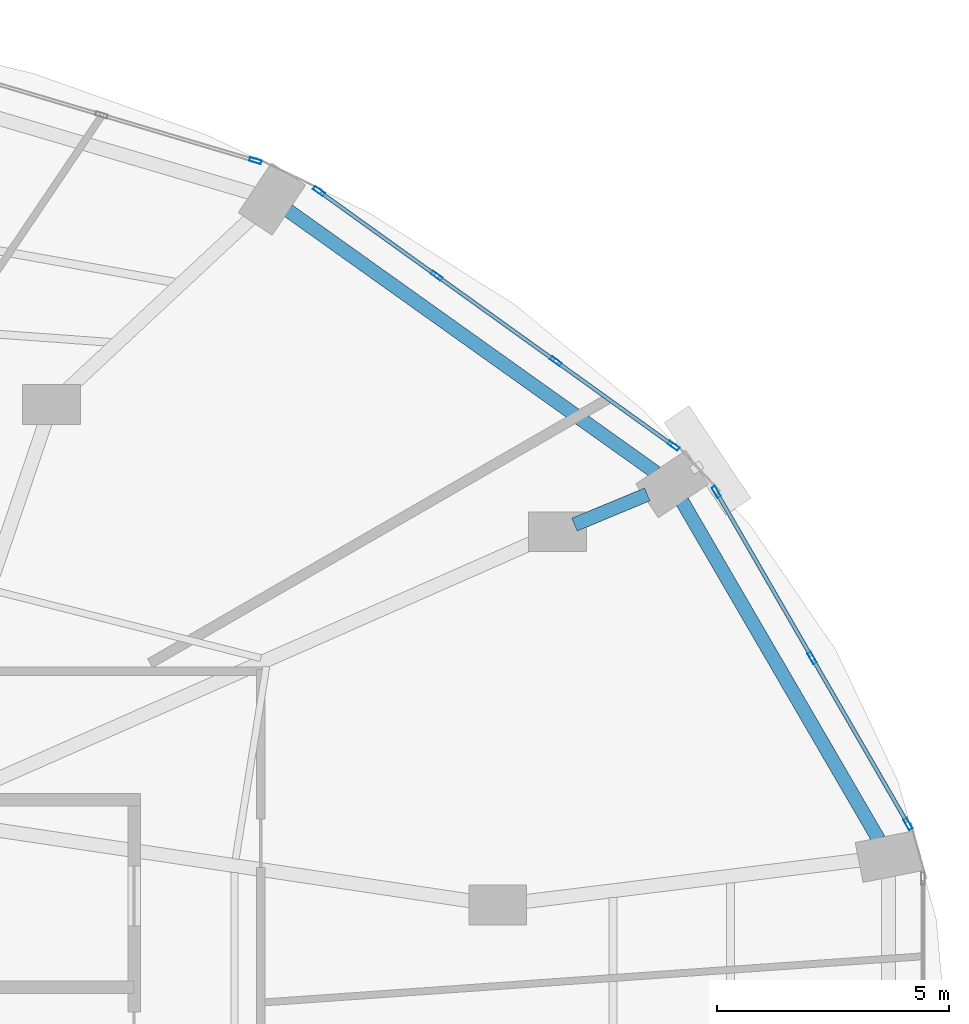
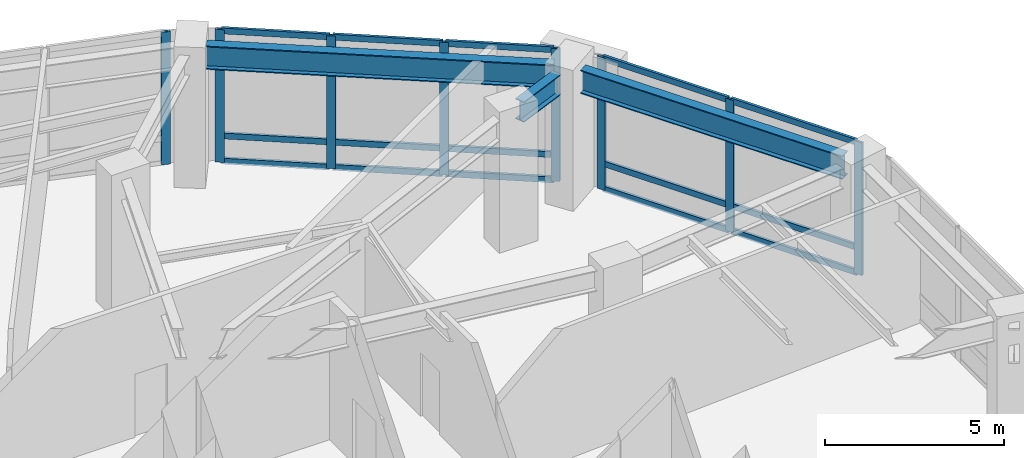
# One storey, part 17 of 24: 23 members, 3 beams, 3 elements without a shape of their own.
"""IFC4 building model written with IfcOpenShell, lengths in metres."""

from ifc_helpers import new_model, si_unit, direction, frame, origin, origin_2d, place, context, subcontext, project, spatial, hollow_rectangle, i_section, extrude, material, layer, layer_set, material_profile, profile_set, type_object, element, aggregate, save


model = new_model("IFC4")

# Units and contexts
model_context = context("Model", 3, precision=1e-05, world=origin(), true_north=direction((0.0, 1.0)))
body_context = subcontext(model_context, "Body", "Model", "MODEL_VIEW")
ifc_project = project(units=[si_unit("LENGTHUNIT", "METRE"), si_unit("AREAUNIT", "SQUARE_METRE"), si_unit("VOLUMEUNIT", "CUBIC_METRE"), si_unit("PLANEANGLEUNIT", "RADIAN"), si_unit("MASSUNIT", "GRAM", prefix="KILO")], contexts=[model_context])

# Site, building, storey
site_placement = place(None, origin())
site = spatial("IfcSite", under=ifc_project, at=site_placement, CompositionType="ELEMENT")
building_placement = place(site_placement, origin())
building = spatial("IfcBuilding", under=site, at=building_placement, Name="Lazwardi Medical Tower", CompositionType="ELEMENT")
storey_placement = place(building_placement, frame((0.0, 0.0, 15.60009765625)))
storey = spatial("IfcBuildingStorey", under=building, at=storey_placement, Name="L03", CompositionType="ELEMENT", Elevation=15.60009765625)

# Beams
ifc_material_1 = material(Name="Steel S355", Category="steel")
ifc_material_profile_1 = material_profile(ifc_material_1, i_section(OverallWidth=0.300048828125, OverallDepth=0.800048828125, WebThickness=0.017578125, FlangeThickness=0.032958984375, at=origin_2d()), Name="HEB 800")
ifc_profile_set_1 = profile_set([ifc_material_profile_1], Name="Steel S355")
beam_type_1 = type_object("IfcBeamType", Name="BM-RB-P1", PredefinedType="BEAM", material=ifc_profile_set_1)
beam_1_placement = place(storey_placement, frame((66.482421875, 35.122314453125, 4.119873046875), z_axis=(-0.502605874383, 0.864515665003, 0.0), x_axis=(-0.864515665003, -0.502605874383, 0.0)))
element("IfcBeam", 1, at=beam_1_placement, inside=storey, type_object=beam_type_1, Name="Ring beam RB-01 B05 L03", PredefinedType="BEAM", context=body_context, shape_type="SweptSolid", body=[
    extrude(i_section(OverallWidth=0.300048828125, OverallDepth=0.800048828125, WebThickness=0.017578125, FlangeThickness=0.032958984375, at=origin_2d()), origin(), (0.0, 0.0, 1.0), 8.4384765625),
])
beam_2_placement = place(storey_placement, frame((61.6748046875, 43.038818359375, 4.119873046875), z_axis=(-0.814437186887, 0.580251728663, 0.0), x_axis=(-0.580251728663, -0.814437186887, 0.0)))
element("IfcBeam", 2, at=beam_2_placement, inside=storey, type_object=beam_type_1, Name="Ring beam RB-01 B06 L03", PredefinedType="BEAM", context=body_context, shape_type="SweptSolid", body=[
    extrude(i_section(OverallWidth=0.300048828125, OverallDepth=0.800048828125, WebThickness=0.017578125, FlangeThickness=0.032958984375, at=origin_2d()), origin(), (0.0, 0.0, 1.0), 9.743408203125),
])
ifc_material_profile_2 = material_profile(ifc_material_1, i_section(OverallWidth=0.300048828125, OverallDepth=0.699951171875, WebThickness=0.01708984375, FlangeThickness=0.031982421875, at=origin_2d()), Name="HEB 700")
ifc_profile_set_2 = profile_set([ifc_material_profile_2], Name="Steel S355")
beam_type_2 = type_object("IfcBeamType", Name="BM-RG-P1", PredefinedType="BEAM", material=ifc_profile_set_2)
beam_3_placement = place(storey_placement, frame((61.489501953125, 42.56640625, 4.169921875), z_axis=(-0.923382441077, -0.383881319565, 0.0), x_axis=(0.383881319565, -0.923382441077, 0.0)))
element("IfcBeam", 3, at=beam_3_placement, inside=storey, type_object=beam_type_2, Name="Radial girder RG-01 R06A L03", PredefinedType="BEAM", context=body_context, shape_type="SweptSolid", body=[
    extrude(i_section(OverallWidth=0.300048828125, OverallDepth=0.699951171875, WebThickness=0.01708984375, FlangeThickness=0.031982421875, at=origin_2d()), origin(), (0.0, 0.0, 1.0), 1.70068359375),
])

# Curtain wall, members
ifc_material_2 = material(Name="Anodised bronze aluminium and solar control glazing", Category="aluminium")
ifc_layer = layer(ifc_material_2, 0.219970703125)
ifc_layer_set = layer_set([ifc_layer], Name="Anodised bronze aluminium and solar control glazing")
curtain_wall_type = type_object("IfcCurtainWallType", Name="CW-SYS-01", PredefinedType="NOTDEFINED", material=ifc_layer_set)
curtain_wall_1_placement = place(storey_placement, origin())
curtain_wall_1 = element("IfcCurtainWall", 4, at=curtain_wall_1_placement, inside=storey, type_object=curtain_wall_type, Name="L03 Unitised bronze curtain wall CW-01", PredefinedType="NOTDEFINED")
ifc_material_3 = material(Name="Anodised bronze aluminium", Category="aluminium")
ifc_material_profile_3 = material_profile(ifc_material_3, hollow_rectangle(XDim=0.0849609375, YDim=0.260009765625, WallThickness=0.0048828125, at=origin_2d()), Name="ALU-MULLION 260x85x5")
ifc_profile_set_3 = profile_set([ifc_material_profile_3], Name="Anodised bronze aluminium")
member_type_1 = type_object("IfcMemberType", Name="CW-MUL-02", PredefinedType="MULLION", material=ifc_profile_set_3)
member_1_placement = place(storey_placement, frame((67.1142578125, 35.4541015625, 0.0), z_axis=(0.0, 0.0, 1.0), x_axis=(-0.866180607783, -0.499731082384, 0.0)))
member_1 = element("IfcMember", 5, at=member_1_placement, type_object=member_type_1, Name="CW-01 mullion 1", PredefinedType="MULLION", context=body_context, shape_type="SweptSolid", body=[
    extrude(hollow_rectangle(XDim=0.0849609375, YDim=0.260009765625, WallThickness=0.0048828125, at=origin_2d()), origin(), (0.0, 0.0, 1.0), 4.52001953125),
])
member_2_placement = place(storey_placement, frame((65.04638671875, 39.0380859375, 0.0), z_axis=(0.0, 0.0, 1.0), x_axis=(-0.866180607783, -0.499731082384, 0.0)))
member_2 = element("IfcMember", 6, at=member_2_placement, type_object=member_type_1, Name="CW-01 mullion 2", PredefinedType="MULLION", context=body_context, shape_type="SweptSolid", body=[
    extrude(hollow_rectangle(XDim=0.0849609375, YDim=0.260009765625, WallThickness=0.0048828125, at=origin_2d()), origin(), (0.0, 0.0, 1.0), 4.52001953125),
])
member_3_placement = place(storey_placement, frame((62.978759765625, 42.6220703125, 0.0), z_axis=(0.0, 0.0, 1.0), x_axis=(-0.866180607783, -0.499731082384, 0.0)))
member_3 = element("IfcMember", 7, at=member_3_placement, type_object=member_type_1, Name="CW-01 mullion 3", PredefinedType="MULLION", context=body_context, shape_type="SweptSolid", body=[
    extrude(hollow_rectangle(XDim=0.0849609375, YDim=0.260009765625, WallThickness=0.0048828125, at=origin_2d()), origin(), (0.0, 0.0, 1.0), 4.52001953125),
])

curtain_wall_2_placement = place(storey_placement, origin())
curtain_wall_2 = element("IfcCurtainWall", 8, at=curtain_wall_2_placement, inside=storey, type_object=curtain_wall_type, Name="L03 Unitised bronze curtain wall CW-01", PredefinedType="NOTDEFINED")
member_4_placement = place(storey_placement, frame((62.056640625, 43.614501953125, 0.0), z_axis=(0.0, 0.0, 1.0), x_axis=(-0.583214260584, -0.812318365083, 0.0)))
member_4 = element("IfcMember", 9, at=member_4_placement, type_object=member_type_1, Name="CW-01 mullion 1", PredefinedType="MULLION", context=body_context, shape_type="SweptSolid", body=[
    extrude(hollow_rectangle(XDim=0.0849609375, YDim=0.260009765625, WallThickness=0.0048828125, at=origin_2d()), origin(), (0.0, 0.0, 1.0), 4.52001953125),
])
member_5_placement = place(storey_placement, frame((59.517822265625, 45.437255859375, 0.0), z_axis=(0.0, 0.0, 1.0), x_axis=(-0.583214260584, -0.812318365083, 0.0)))
member_5 = element("IfcMember", 10, at=member_5_placement, type_object=member_type_1, Name="CW-01 mullion 2", PredefinedType="MULLION", context=body_context, shape_type="SweptSolid", body=[
    extrude(hollow_rectangle(XDim=0.0849609375, YDim=0.260009765625, WallThickness=0.0048828125, at=origin_2d()), origin(), (0.0, 0.0, 1.0), 4.52001953125),
])
member_6_placement = place(storey_placement, frame((56.944580078125, 47.28466796875, 0.0), z_axis=(0.0, 0.0, 1.0), x_axis=(-0.583214260584, -0.812318365083, 0.0)))
member_6 = element("IfcMember", 11, at=member_6_placement, type_object=member_type_1, Name="CW-01 mullion 3", PredefinedType="MULLION", context=body_context, shape_type="SweptSolid", body=[
    extrude(hollow_rectangle(XDim=0.0849609375, YDim=0.260009765625, WallThickness=0.0048828125, at=origin_2d()), origin(), (0.0, 0.0, 1.0), 4.52001953125),
])
member_7_placement = place(storey_placement, frame((54.40576171875, 49.107421875, 0.0), z_axis=(0.0, 0.0, 1.0), x_axis=(-0.583214260584, -0.812318365083, 0.0)))
member_7 = element("IfcMember", 12, at=member_7_placement, type_object=member_type_1, Name="CW-01 mullion 4", PredefinedType="MULLION", context=body_context, shape_type="SweptSolid", body=[
    extrude(hollow_rectangle(XDim=0.0849609375, YDim=0.260009765625, WallThickness=0.0048828125, at=origin_2d()), origin(), (0.0, 0.0, 1.0), 4.52001953125),
])

# Curtain wall, member
curtain_wall_3_placement = place(storey_placement, origin())
curtain_wall_3 = element("IfcCurtainWall", 13, at=curtain_wall_3_placement, inside=storey, type_object=curtain_wall_type, Name="L03 Unitised bronze curtain wall CW-01", PredefinedType="NOTDEFINED")
member_8_placement = place(storey_placement, frame((53.033935546875, 49.766357421875, 0.0), z_axis=(0.0, 0.0, 1.0), x_axis=(-0.285047195531, -0.958513482597, 0.0)))
member_8 = element("IfcMember", 14, at=member_8_placement, type_object=member_type_1, Name="CW-01 mullion 1", PredefinedType="MULLION", context=body_context, shape_type="SweptSolid", body=[
    extrude(hollow_rectangle(XDim=0.0849609375, YDim=0.260009765625, WallThickness=0.0048828125, at=origin_2d()), origin(), (0.0, 0.0, 1.0), 4.52001953125),
])
aggregate(curtain_wall_3, [member_8])

# Member
ifc_material_profile_4 = material_profile(ifc_material_3, hollow_rectangle(XDim=0.0849609375, YDim=0.199951171875, WallThickness=0.00439453125, at=origin_2d()), Name="ALU-TRANSOM 200x85x4.5")
ifc_profile_set_4 = profile_set([ifc_material_profile_4], Name="Anodised bronze aluminium")
member_type_2 = type_object("IfcMemberType", Name="CW-TRN-02", PredefinedType="USERDEFINED", material=ifc_profile_set_4)
member_9_placement = place(storey_placement, frame((67.093017578125, 35.49072265625, 0.04248046875), z_axis=(-0.499741574693, 0.866174554304, 0.0), x_axis=(-0.866174554304, -0.499741574693, 0.0)))
member_9 = element("IfcMember", 15, at=member_9_placement, type_object=member_type_2, Name="CW-01 transom 1.1", ObjectType="TRANSOM", PredefinedType="USERDEFINED", context=body_context, shape_type="SweptSolid", body=[
    extrude(hollow_rectangle(XDim=0.0849609375, YDim=0.199951171875, WallThickness=0.00439453125, at=origin_2d()), origin(), (0.0, 0.0, 1.0), 4.052978515625),
])

member_10_placement = place(storey_placement, frame((67.093017578125, 35.49072265625, 0.89990234375), z_axis=(-0.499741574693, 0.866174554304, 0.0), x_axis=(-0.866174554304, -0.499741574693, 0.0)))
member_10 = element("IfcMember", 16, at=member_10_placement, type_object=member_type_2, Name="CW-01 transom 1.2", ObjectType="TRANSOM", PredefinedType="USERDEFINED", context=body_context, shape_type="SweptSolid", body=[
    extrude(hollow_rectangle(XDim=0.0849609375, YDim=0.199951171875, WallThickness=0.00439453125, at=origin_2d()), origin(), (0.0, 0.0, 1.0), 4.052978515625),
])

member_11_placement = place(storey_placement, frame((67.093017578125, 35.49072265625, 4.477294921875), z_axis=(-0.499741574693, 0.866174554304, 0.0), x_axis=(-0.866174554304, -0.499741574693, 0.0)))
member_11 = element("IfcMember", 17, at=member_11_placement, type_object=member_type_2, Name="CW-01 transom 1.3", ObjectType="TRANSOM", PredefinedType="USERDEFINED", context=body_context, shape_type="SweptSolid", body=[
    extrude(hollow_rectangle(XDim=0.0849609375, YDim=0.199951171875, WallThickness=0.00439453125, at=origin_2d()), origin(), (0.0, 0.0, 1.0), 4.052978515625),
])

member_12_placement = place(storey_placement, frame((65.025146484375, 39.074951171875, 0.04248046875), z_axis=(-0.499767651026, 0.866159508975, 0.0), x_axis=(-0.866159508975, -0.499767651026, 0.0)))
member_12 = element("IfcMember", 18, at=member_12_placement, type_object=member_type_2, Name="CW-01 transom 2.1", ObjectType="TRANSOM", PredefinedType="USERDEFINED", context=body_context, shape_type="SweptSolid", body=[
    extrude(hollow_rectangle(XDim=0.0849609375, YDim=0.199951171875, WallThickness=0.00439453125, at=origin_2d()), origin(), (0.0, 0.0, 1.0), 4.052734375),
])

member_13_placement = place(storey_placement, frame((65.025146484375, 39.074951171875, 0.89990234375), z_axis=(-0.499767651026, 0.866159508975, 0.0), x_axis=(-0.866159508975, -0.499767651026, 0.0)))
member_13 = element("IfcMember", 19, at=member_13_placement, type_object=member_type_2, Name="CW-01 transom 2.2", ObjectType="TRANSOM", PredefinedType="USERDEFINED", context=body_context, shape_type="SweptSolid", body=[
    extrude(hollow_rectangle(XDim=0.0849609375, YDim=0.199951171875, WallThickness=0.00439453125, at=origin_2d()), origin(), (0.0, 0.0, 1.0), 4.052734375),
])

member_14_placement = place(storey_placement, frame((65.025146484375, 39.074951171875, 4.477294921875), z_axis=(-0.499767651026, 0.866159508975, 0.0), x_axis=(-0.866159508975, -0.499767651026, 0.0)))
member_14 = element("IfcMember", 20, at=member_14_placement, type_object=member_type_2, Name="CW-01 transom 2.3", ObjectType="TRANSOM", PredefinedType="USERDEFINED", context=body_context, shape_type="SweptSolid", body=[
    extrude(hollow_rectangle(XDim=0.0849609375, YDim=0.199951171875, WallThickness=0.00439453125, at=origin_2d()), origin(), (0.0, 0.0, 1.0), 4.052734375),
])

aggregate(curtain_wall_1, [member_1, member_2, member_3, member_9, member_10, member_11, member_12, member_13, member_14])

member_15_placement = place(storey_placement, frame((62.02197265625, 43.63916015625, 0.04248046875), z_axis=(-0.812314954496, 0.583219010924, 0.0), x_axis=(-0.583219010924, -0.812314954496, 0.0)))
member_15 = element("IfcMember", 21, at=member_15_placement, type_object=member_type_2, Name="CW-01 transom 1.1", ObjectType="TRANSOM", PredefinedType="USERDEFINED", context=body_context, shape_type="SweptSolid", body=[
    extrude(hollow_rectangle(XDim=0.0849609375, YDim=0.199951171875, WallThickness=0.00439453125, at=origin_2d()), origin(), (0.0, 0.0, 1.0), 3.040283203125),
])

member_16_placement = place(storey_placement, frame((62.02197265625, 43.63916015625, 0.89990234375), z_axis=(-0.812314954496, 0.583219010924, 0.0), x_axis=(-0.583219010924, -0.812314954496, 0.0)))
member_16 = element("IfcMember", 22, at=member_16_placement, type_object=member_type_2, Name="CW-01 transom 1.2", ObjectType="TRANSOM", PredefinedType="USERDEFINED", context=body_context, shape_type="SweptSolid", body=[
    extrude(hollow_rectangle(XDim=0.0849609375, YDim=0.199951171875, WallThickness=0.00439453125, at=origin_2d()), origin(), (0.0, 0.0, 1.0), 3.040283203125),
])

member_17_placement = place(storey_placement, frame((62.02197265625, 43.63916015625, 4.477294921875), z_axis=(-0.812314954496, 0.583219010924, 0.0), x_axis=(-0.583219010924, -0.812314954496, 0.0)))
member_17 = element("IfcMember", 23, at=member_17_placement, type_object=member_type_2, Name="CW-01 transom 1.3", ObjectType="TRANSOM", PredefinedType="USERDEFINED", context=body_context, shape_type="SweptSolid", body=[
    extrude(hollow_rectangle(XDim=0.0849609375, YDim=0.199951171875, WallThickness=0.00439453125, at=origin_2d()), origin(), (0.0, 0.0, 1.0), 3.040283203125),
])

member_18_placement = place(storey_placement, frame((59.4833984375, 45.4619140625, 0.04248046875), z_axis=(-0.81231315212, 0.583221521287, 0.0), x_axis=(-0.583221521287, -0.81231315212, 0.0)))
member_18 = element("IfcMember", 24, at=member_18_placement, type_object=member_type_2, Name="CW-01 transom 2.1", ObjectType="TRANSOM", PredefinedType="USERDEFINED", context=body_context, shape_type="SweptSolid", body=[
    extrude(hollow_rectangle(XDim=0.0849609375, YDim=0.199951171875, WallThickness=0.00439453125, at=origin_2d()), origin(), (0.0, 0.0, 1.0), 3.0830078125),
])

member_19_placement = place(storey_placement, frame((59.4833984375, 45.4619140625, 0.89990234375), z_axis=(-0.81231315212, 0.583221521287, 0.0), x_axis=(-0.583221521287, -0.81231315212, 0.0)))
member_19 = element("IfcMember", 25, at=member_19_placement, type_object=member_type_2, Name="CW-01 transom 2.2", ObjectType="TRANSOM", PredefinedType="USERDEFINED", context=body_context, shape_type="SweptSolid", body=[
    extrude(hollow_rectangle(XDim=0.0849609375, YDim=0.199951171875, WallThickness=0.00439453125, at=origin_2d()), origin(), (0.0, 0.0, 1.0), 3.0830078125),
])

member_20_placement = place(storey_placement, frame((59.4833984375, 45.4619140625, 4.477294921875), z_axis=(-0.81231315212, 0.583221521287, 0.0), x_axis=(-0.583221521287, -0.81231315212, 0.0)))
member_20 = element("IfcMember", 26, at=member_20_placement, type_object=member_type_2, Name="CW-01 transom 2.3", ObjectType="TRANSOM", PredefinedType="USERDEFINED", context=body_context, shape_type="SweptSolid", body=[
    extrude(hollow_rectangle(XDim=0.0849609375, YDim=0.199951171875, WallThickness=0.00439453125, at=origin_2d()), origin(), (0.0, 0.0, 1.0), 3.0830078125),
])

member_21_placement = place(storey_placement, frame((56.909912109375, 47.3095703125, 0.04248046875), z_axis=(-0.812314954496, 0.583219010924, 0.0), x_axis=(-0.583219010924, -0.812314954496, 0.0)))
member_21 = element("IfcMember", 27, at=member_21_placement, type_object=member_type_2, Name="CW-01 transom 3.1", ObjectType="TRANSOM", PredefinedType="USERDEFINED", context=body_context, shape_type="SweptSolid", body=[
    extrude(hollow_rectangle(XDim=0.0849609375, YDim=0.199951171875, WallThickness=0.00439453125, at=origin_2d()), origin(), (0.0, 0.0, 1.0), 3.040283203125),
])

member_22_placement = place(storey_placement, frame((56.909912109375, 47.3095703125, 0.89990234375), z_axis=(-0.812314954496, 0.583219010924, 0.0), x_axis=(-0.583219010924, -0.812314954496, 0.0)))
member_22 = element("IfcMember", 28, at=member_22_placement, type_object=member_type_2, Name="CW-01 transom 3.2", ObjectType="TRANSOM", PredefinedType="USERDEFINED", context=body_context, shape_type="SweptSolid", body=[
    extrude(hollow_rectangle(XDim=0.0849609375, YDim=0.199951171875, WallThickness=0.00439453125, at=origin_2d()), origin(), (0.0, 0.0, 1.0), 3.040283203125),
])

member_23_placement = place(storey_placement, frame((56.909912109375, 47.3095703125, 4.477294921875), z_axis=(-0.812314954496, 0.583219010924, 0.0), x_axis=(-0.583219010924, -0.812314954496, 0.0)))
member_23 = element("IfcMember", 29, at=member_23_placement, type_object=member_type_2, Name="CW-01 transom 3.3", ObjectType="TRANSOM", PredefinedType="USERDEFINED", context=body_context, shape_type="SweptSolid", body=[
    extrude(hollow_rectangle(XDim=0.0849609375, YDim=0.199951171875, WallThickness=0.00439453125, at=origin_2d()), origin(), (0.0, 0.0, 1.0), 3.040283203125),
])

aggregate(curtain_wall_2, [member_4, member_5, member_6, member_7, member_15, member_16, member_17, member_18, member_19, member_20, member_21, member_22, member_23])

save(model, "model.ifc")
